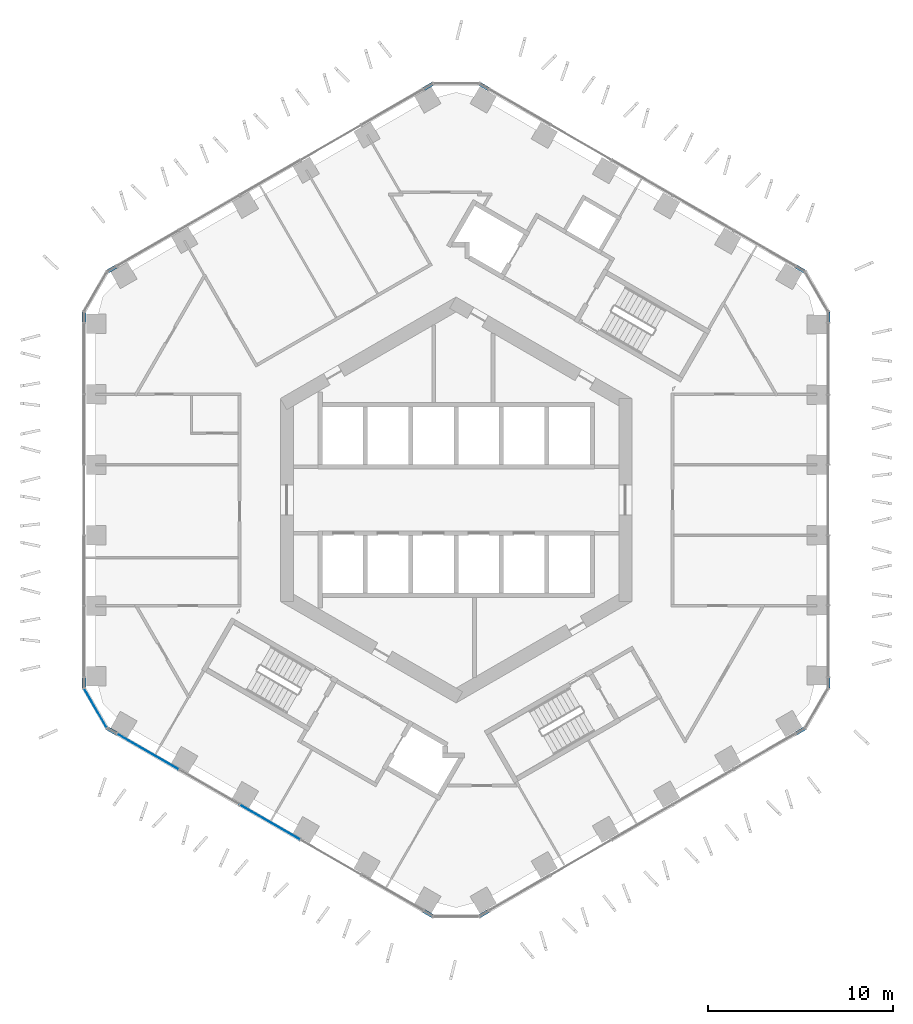
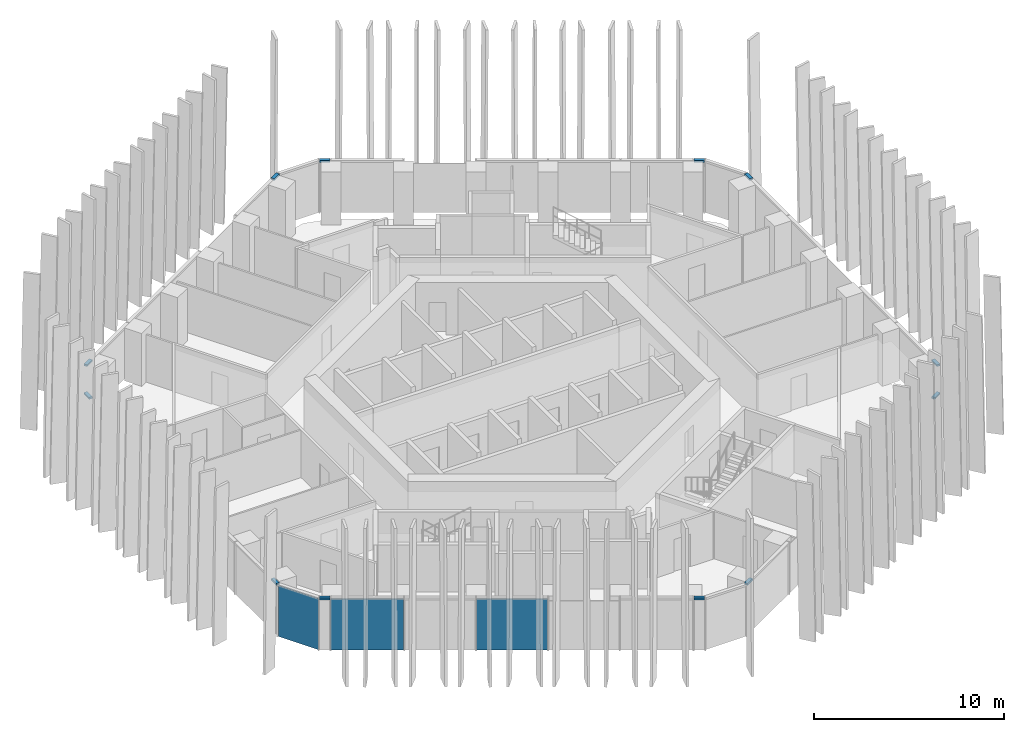
# One storey, part 7 of 18: 12 members, 3 plates, 7 elements without a shape of their own.
"""IFC4 building model written with IfcOpenShell, lengths in metres."""

from ifc_helpers import new_model, si_unit, direction, frame, origin, origin_2d, place, context, subcontext, project, spatial, rectangle, extrude, material, layer, layer_set, material_profile, profile_set, type_object, element, aggregate, save


model = new_model("IFC4")

# Units and contexts
model_context = context("Model", 3, precision=1e-05, world=origin(), true_north=direction((0.0, 1.0)))
body_context = subcontext(model_context, "Body", "Model", "MODEL_VIEW")
ifc_project = project(units=[si_unit("LENGTHUNIT", "METRE"), si_unit("AREAUNIT", "SQUARE_METRE"), si_unit("VOLUMEUNIT", "CUBIC_METRE"), si_unit("PLANEANGLEUNIT", "RADIAN"), si_unit("MASSUNIT", "GRAM", prefix="KILO")], contexts=[model_context])

# Site, building, storey
site_placement = place(None, origin())
site = spatial("IfcSite", under=ifc_project, at=site_placement, CompositionType="ELEMENT")
building_placement = place(site_placement, origin())
building = spatial("IfcBuilding", under=site, at=building_placement, Name="Ayvan Gate Tower", CompositionType="ELEMENT")
storey_placement = place(building_placement, frame((0.0, 0.0, 83.10009765625)))
storey = spatial("IfcBuildingStorey", under=building, at=storey_placement, Name="L21", CompositionType="ELEMENT", Elevation=83.10009765625)

# Curtain wall, members
ifc_material_1 = material(Name="Bronze anodised aluminium", Category="aluminium")
ifc_layer_1 = layer(ifc_material_1, 0.199951171875)
ifc_layer_set_1 = layer_set([ifc_layer_1], Name="Bronze anodised aluminium")
curtain_wall_type_1 = type_object("IfcCurtainWallType", Name="Stick curtain wall CW-6", PredefinedType="NOTDEFINED", material=ifc_layer_set_1)
curtain_wall_1_placement = place(storey_placement, origin())
curtain_wall_1 = element("IfcCurtainWall", 1, at=curtain_wall_1_placement, inside=storey, type_object=curtain_wall_type_1, Name="Stick curtain wall CW-6 L21", PredefinedType="NOTDEFINED")
ifc_material_profile = material_profile(ifc_material_1, rectangle(XDim=0.199951171875, YDim=0.1201171875, at=origin_2d()), Name="Stick curtain wall CW-6 transom 200 x 120")
ifc_profile_set = profile_set([ifc_material_profile], Name="Bronze anodised aluminium")
member_type = type_object("IfcMemberType", Name="Stick curtain wall CW-6 transom 200 x 120", PredefinedType="USERDEFINED", material=ifc_profile_set)
member_1_placement = place(storey_placement, frame((-18.369384765625, 12.6162109375, 3.33984375), z_axis=(-0.865912065108, -0.500196256984, 0.0), x_axis=(0.500196256984, -0.865912065108, 0.0)))
member_1 = element("IfcMember", 2, at=member_1_placement, type_object=member_type, Name="CW-6 transom 1", ObjectType="TRANSOM", PredefinedType="USERDEFINED", context=body_context, shape_type="SweptSolid", body=[
    extrude(rectangle(XDim=0.199951171875, YDim=0.1201171875, at=origin_2d()), origin(), (0.0, 0.0, 1.0), 0.550048828125),
])
member_2_placement = place(storey_placement, frame((-20.110595703125, 10.150146484375, 3.33984375), z_axis=(0.0, -1.0, 0.0), x_axis=(1.0, 0.0, 0.0)))
member_2 = element("IfcMember", 3, at=member_2_placement, type_object=member_type, Name="CW-6 transom 3", ObjectType="TRANSOM", PredefinedType="USERDEFINED", context=body_context, shape_type="SweptSolid", body=[
    extrude(rectangle(XDim=0.199951171875, YDim=0.1201171875, at=origin_2d()), origin(), (0.0, 0.0, 1.0), 0.5498046875),
])
aggregate(curtain_wall_1, [member_1, member_2])

curtain_wall_2_placement = place(storey_placement, origin())
curtain_wall_2 = element("IfcCurtainWall", 4, at=curtain_wall_2_placement, inside=storey, type_object=curtain_wall_type_1, Name="Stick curtain wall CW-6 L21", PredefinedType="NOTDEFINED")
member_3_placement = place(storey_placement, frame((-20.110595703125, -9.600341796875, 3.33984375), z_axis=(0.0, -1.0, 0.0), x_axis=(1.0, 0.0, 0.0)))
member_3 = element("IfcMember", 5, at=member_3_placement, type_object=member_type, Name="CW-6 transom 1", ObjectType="TRANSOM", PredefinedType="USERDEFINED", context=body_context, shape_type="SweptSolid", body=[
    extrude(rectangle(XDim=0.199951171875, YDim=0.1201171875, at=origin_2d()), origin(), (0.0, 0.0, 1.0), 0.5498046875),
])
member_4_placement = place(storey_placement, frame((-18.845703125, -12.341064453125, 3.33984375), z_axis=(0.865912065108, -0.500196256984, 0.0), x_axis=(0.500196256984, 0.865912065108, 0.0)))
member_4 = element("IfcMember", 6, at=member_4_placement, type_object=member_type, Name="CW-6 transom 3", ObjectType="TRANSOM", PredefinedType="USERDEFINED", context=body_context, shape_type="SweptSolid", body=[
    extrude(rectangle(XDim=0.199951171875, YDim=0.1201171875, at=origin_2d()), origin(), (0.0, 0.0, 1.0), 0.550048828125),
])

curtain_wall_3_placement = place(storey_placement, origin())
curtain_wall_3 = element("IfcCurtainWall", 7, at=curtain_wall_3_placement, inside=storey, type_object=curtain_wall_type_1, Name="Stick curtain wall CW-6 L21", PredefinedType="NOTDEFINED")
member_5_placement = place(storey_placement, frame((-1.7412109375, -22.21630859375, 3.33984375), z_axis=(0.865912065108, -0.500196256984, 0.0), x_axis=(0.500196256984, 0.865912065108, 0.0)))
member_5 = element("IfcMember", 8, at=member_5_placement, type_object=member_type, Name="CW-6 transom 1", ObjectType="TRANSOM", PredefinedType="USERDEFINED", context=body_context, shape_type="SweptSolid", body=[
    extrude(rectangle(XDim=0.199951171875, YDim=0.1201171875, at=origin_2d()), origin(), (0.0, 0.0, 1.0), 0.550048828125),
])
member_6_placement = place(storey_placement, frame((1.264892578125, -22.491455078125, 3.33984375), z_axis=(0.865912065108, 0.500196256984, 0.0), x_axis=(-0.500196256984, 0.865912065108, 0.0)))
member_6 = element("IfcMember", 9, at=member_6_placement, type_object=member_type, Name="CW-6 transom 3", ObjectType="TRANSOM", PredefinedType="USERDEFINED", context=body_context, shape_type="SweptSolid", body=[
    extrude(rectangle(XDim=0.199951171875, YDim=0.1201171875, at=origin_2d()), origin(), (0.0, 0.0, 1.0), 0.550048828125),
])
aggregate(curtain_wall_3, [member_5, member_6])

curtain_wall_4_placement = place(storey_placement, origin())
curtain_wall_4 = element("IfcCurtainWall", 10, at=curtain_wall_4_placement, inside=storey, type_object=curtain_wall_type_1, Name="Stick curtain wall CW-6 L21", PredefinedType="NOTDEFINED")
member_7_placement = place(storey_placement, frame((18.369384765625, -12.6162109375, 3.33984375), z_axis=(0.865912065108, 0.500196256984, 0.0), x_axis=(-0.500196256984, 0.865912065108, 0.0)))
member_7 = element("IfcMember", 11, at=member_7_placement, type_object=member_type, Name="CW-6 transom 1", ObjectType="TRANSOM", PredefinedType="USERDEFINED", context=body_context, shape_type="SweptSolid", body=[
    extrude(rectangle(XDim=0.199951171875, YDim=0.1201171875, at=origin_2d()), origin(), (0.0, 0.0, 1.0), 0.550048828125),
])
member_8_placement = place(storey_placement, frame((20.110595703125, -10.150146484375, 3.33984375), z_axis=(0.0, 1.0, 0.0), x_axis=(-1.0, 0.0, 0.0)))
member_8 = element("IfcMember", 12, at=member_8_placement, type_object=member_type, Name="CW-6 transom 3", ObjectType="TRANSOM", PredefinedType="USERDEFINED", context=body_context, shape_type="SweptSolid", body=[
    extrude(rectangle(XDim=0.199951171875, YDim=0.1201171875, at=origin_2d()), origin(), (0.0, 0.0, 1.0), 0.5498046875),
])
aggregate(curtain_wall_4, [member_7, member_8])

curtain_wall_5_placement = place(storey_placement, origin())
curtain_wall_5 = element("IfcCurtainWall", 13, at=curtain_wall_5_placement, inside=storey, type_object=curtain_wall_type_1, Name="Stick curtain wall CW-6 L21", PredefinedType="NOTDEFINED")
member_9_placement = place(storey_placement, frame((20.110595703125, 9.600341796875, 3.33984375), z_axis=(0.0, 1.0, 0.0), x_axis=(-1.0, 0.0, 0.0)))
member_9 = element("IfcMember", 14, at=member_9_placement, type_object=member_type, Name="CW-6 transom 1", ObjectType="TRANSOM", PredefinedType="USERDEFINED", context=body_context, shape_type="SweptSolid", body=[
    extrude(rectangle(XDim=0.199951171875, YDim=0.1201171875, at=origin_2d()), origin(), (0.0, 0.0, 1.0), 0.5498046875),
])
member_10_placement = place(storey_placement, frame((18.845703125, 12.341064453125, 3.33984375), z_axis=(-0.865912065108, 0.500196256984, 0.0), x_axis=(-0.500196256984, -0.865912065108, 0.0)))
member_10 = element("IfcMember", 15, at=member_10_placement, type_object=member_type, Name="CW-6 transom 3", ObjectType="TRANSOM", PredefinedType="USERDEFINED", context=body_context, shape_type="SweptSolid", body=[
    extrude(rectangle(XDim=0.199951171875, YDim=0.1201171875, at=origin_2d()), origin(), (0.0, 0.0, 1.0), 0.550048828125),
])
aggregate(curtain_wall_5, [member_9, member_10])

curtain_wall_6_placement = place(storey_placement, origin())
curtain_wall_6 = element("IfcCurtainWall", 16, at=curtain_wall_6_placement, inside=storey, type_object=curtain_wall_type_1, Name="Stick curtain wall CW-6 L21", PredefinedType="NOTDEFINED")
member_11_placement = place(storey_placement, frame((1.7412109375, 22.21630859375, 3.33984375), z_axis=(-0.865912065108, 0.500196256984, 0.0), x_axis=(-0.500196256984, -0.865912065108, 0.0)))
member_11 = element("IfcMember", 17, at=member_11_placement, type_object=member_type, Name="CW-6 transom 1", ObjectType="TRANSOM", PredefinedType="USERDEFINED", context=body_context, shape_type="SweptSolid", body=[
    extrude(rectangle(XDim=0.199951171875, YDim=0.1201171875, at=origin_2d()), origin(), (0.0, 0.0, 1.0), 0.550048828125),
])
member_12_placement = place(storey_placement, frame((-1.264892578125, 22.491455078125, 3.33984375), z_axis=(-0.865912065108, -0.500196256984, 0.0), x_axis=(0.500196256984, -0.865912065108, 0.0)))
member_12 = element("IfcMember", 18, at=member_12_placement, type_object=member_type, Name="CW-6 transom 3", ObjectType="TRANSOM", PredefinedType="USERDEFINED", context=body_context, shape_type="SweptSolid", body=[
    extrude(rectangle(XDim=0.199951171875, YDim=0.1201171875, at=origin_2d()), origin(), (0.0, 0.0, 1.0), 0.550048828125),
])
aggregate(curtain_wall_6, [member_11, member_12])

# Curtain wall, plates
ifc_layer_2 = layer(ifc_material_1, 0.199951171875)
ifc_layer_set_2 = layer_set([ifc_layer_2], Name="Bronze anodised aluminium")
curtain_wall_type_2 = type_object("IfcCurtainWallType", Name="Stick curtain wall CW-1", PredefinedType="NOTDEFINED", material=ifc_layer_set_2)
curtain_wall_7_placement = place(storey_placement, origin())
curtain_wall_7 = element("IfcCurtainWall", 19, at=curtain_wall_7_placement, inside=storey, type_object=curtain_wall_type_2, Name="Stick curtain wall CW-1 L21", PredefinedType="NOTDEFINED")
ifc_material_2 = material(Name="Clear low-iron laminated glass", Category="glass")
ifc_layer_3 = layer(ifc_material_2, 0.028076171875)
ifc_layer_set_3 = layer_set([ifc_layer_3], Name="Clear low-iron laminated glass")
plate_type_1 = type_object("IfcPlateType", Name="Stick curtain wall CW-1 glass panel", PredefinedType="CURTAIN_PANEL", material=ifc_layer_set_3)
plate_1_placement = place(storey_placement, frame((-16.67626953125, -13.59375, 0.0), z_axis=(0.0, 0.0, 1.0), x_axis=(0.866025403784, -0.5, 0.0)))
plate_1 = element("IfcPlate", 20, at=plate_1_placement, type_object=plate_type_1, Name="CW-1 glass panel 1", PredefinedType="CURTAIN_PANEL", context=body_context, shape_type="SweptSolid", body=[
    extrude(rectangle(XDim=3.85009765625, YDim=0.028076171875, at=origin_2d()), origin(), (0.0, 0.0, 1.0), 3.280029296875),
])
plate_2_placement = place(storey_placement, frame((-10.055419921875, -17.416259765625, 0.0), z_axis=(0.0, 0.0, 1.0), x_axis=(0.866025403784, -0.5, 0.0)))
plate_2 = element("IfcPlate", 21, at=plate_2_placement, type_object=plate_type_1, Name="CW-1 glass panel 3", PredefinedType="CURTAIN_PANEL", context=body_context, shape_type="SweptSolid", body=[
    extrude(rectangle(XDim=3.73388671875, YDim=0.028076171875, at=origin_2d()), origin(), (0.0, 0.0, 1.0), 3.280029296875),
])
aggregate(curtain_wall_7, [plate_1, plate_2])

# Plate
ifc_layer_4 = layer(ifc_material_2, 0.028076171875)
ifc_layer_set_4 = layer_set([ifc_layer_4], Name="Clear low-iron laminated glass")
plate_type_2 = type_object("IfcPlateType", Name="Stick curtain wall CW-6 glass panel", PredefinedType="CURTAIN_PANEL", material=ifc_layer_set_4)
plate_3_placement = place(storey_placement, frame((-19.489013671875, -11.251953125, 0.0), z_axis=(0.0, 0.0, 1.0), x_axis=(0.5, -0.866025403784, 0.0)))
plate_3 = element("IfcPlate", 22, at=plate_3_placement, type_object=plate_type_2, Name="CW-6 glass panel 2", PredefinedType="CURTAIN_PANEL", context=body_context, shape_type="SweptSolid", body=[
    extrude(rectangle(XDim=2.4365234375, YDim=0.028076171875, at=origin_2d()), origin(), (0.0, 0.0, 1.0), 3.280029296875),
])

aggregate(curtain_wall_2, [member_3, member_4, plate_3])

save(model, "model.ifc")
